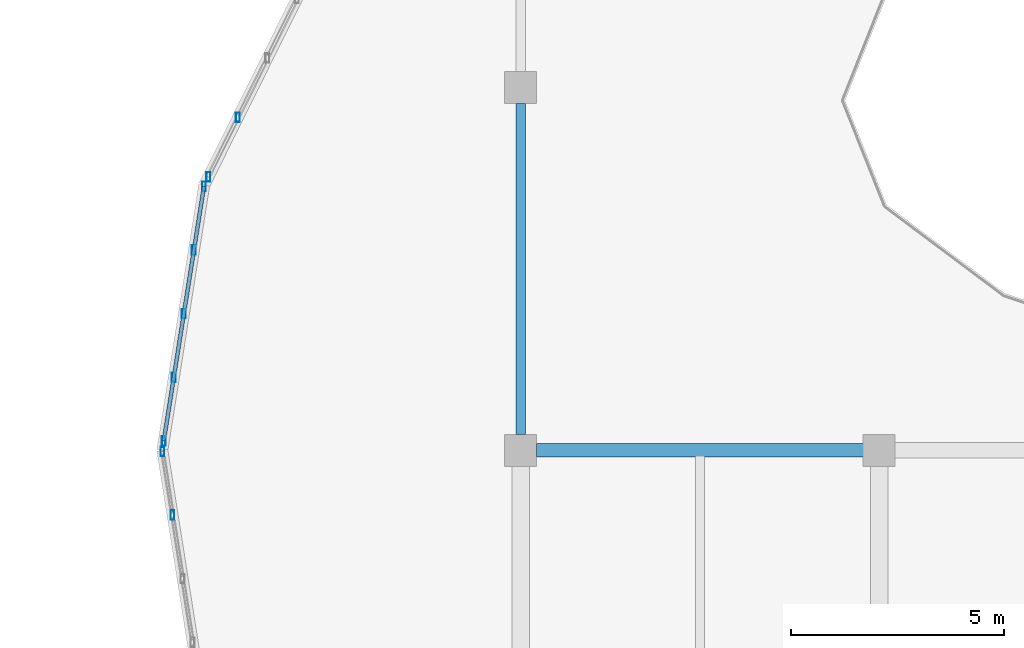
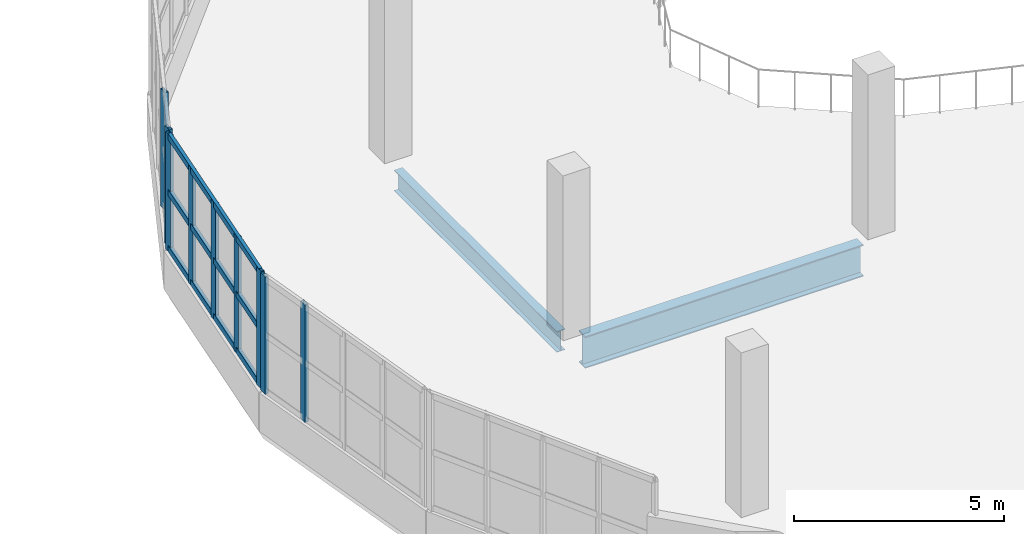
# One storey, part 11 of 77: 12 members, 2 beams, 3 elements without a shape of their own.
"""IFC4 building model written with IfcOpenShell, lengths in metres."""

from ifc_helpers import new_model, si_unit, direction, frame, origin, origin_2d, place, context, subcontext, project, spatial, hollow_rectangle, i_section, extrude, material, material_profile, profile_set, type_object, element, aggregate, save


model = new_model("IFC4")

# Units and contexts
model_context = context("Model", 3, precision=1e-05, world=origin(), true_north=direction((0.0, 1.0)))
body_context = subcontext(model_context, "Body", "Model", "MODEL_VIEW")
ifc_project = project(units=[si_unit("LENGTHUNIT", "METRE"), si_unit("AREAUNIT", "SQUARE_METRE"), si_unit("VOLUMEUNIT", "CUBIC_METRE"), si_unit("PLANEANGLEUNIT", "RADIAN"), si_unit("MASSUNIT", "GRAM", prefix="KILO")], contexts=[model_context])

# Site, building, storey
site_placement = place(None, origin())
site = spatial("IfcSite", under=ifc_project, at=site_placement, CompositionType="ELEMENT")
building_placement = place(site_placement, origin())
building = spatial("IfcBuilding", under=site, at=building_placement, Name="Solvento Point Concert Hall", CompositionType="ELEMENT")
storey_placement = place(building_placement, frame((0.0, 0.0, 10.199951171875)))
storey = spatial("IfcBuildingStorey", under=building, at=storey_placement, Name="L02", CompositionType="ELEMENT", Elevation=10.199951171875)

# Beams
ifc_material_1 = material(Name="Structural Steel ASTM A992 Grade 50", Category="steel")
ifc_material_profile_1 = material_profile(ifc_material_1, i_section(OverallWidth=0.228515625, OverallDepth=0.60791015625, WebThickness=0.01123046875, FlangeThickness=0.017333984375, at=origin_2d()), Name="W24X76")
ifc_profile_set_1 = profile_set([ifc_material_profile_1], Name="Structural Steel ASTM A992 Grade 50")
beam_type_1 = type_object("IfcBeamType", Name="Beam_W24X76", PredefinedType="BEAM", material=ifc_profile_set_1)
beam_1_placement = place(storey_placement, frame((40.800048828125, 34.368896484375, -0.577880859375), z_axis=(0.0, 1.0, 0.0), x_axis=(-1.0, 0.0, 0.0)))
element("IfcBeam", 1, at=beam_1_placement, inside=storey, type_object=beam_type_1, Name="Primary girder B-42 L02", PredefinedType="BEAM", context=body_context, shape_type="SweptSolid", body=[
    extrude(i_section(OverallWidth=0.228515625, OverallDepth=0.60791015625, WebThickness=0.01123046875, FlangeThickness=0.017333984375, at=origin_2d()), origin(), (0.0, 0.0, 1.0), 7.76220703125),
])
ifc_material_2 = material(Name="Structural Steel ASTM A992 Grade 50", Category="steel")
ifc_material_profile_2 = material_profile(ifc_material_2, i_section(OverallWidth=0.3076171875, OverallDepth=0.927001953125, WebThickness=0.019287109375, FlangeThickness=0.031982421875, at=origin_2d()), Name="W36X194")
ifc_profile_set_2 = profile_set([ifc_material_profile_2], Name="Structural Steel ASTM A992 Grade 50")
beam_type_2 = type_object("IfcBeamType", Name="Girder_W36X194", PredefinedType="USERDEFINED", material=ifc_profile_set_2)
beam_2_placement = place(storey_placement, frame((41.1689453125, 34.0, -0.737548828125), z_axis=(1.0, 0.0, 0.0), x_axis=(0.0, 1.0, 0.0)))
element("IfcBeam", 2, at=beam_2_placement, inside=storey, type_object=beam_type_2, Name="Primary girder B-61 L02", ObjectType="GIRDER", PredefinedType="USERDEFINED", context=body_context, shape_type="SweptSolid", body=[
    extrude(i_section(OverallWidth=0.3076171875, OverallDepth=0.927001953125, WebThickness=0.019287109375, FlangeThickness=0.031982421875, at=origin_2d()), origin(), (0.0, 0.0, 1.0), 7.662109375),
])

# Curtain wall, members
ifc_material_3 = material(Name="Anodized Bronze Aluminium", Category="aluminium")
curtain_wall_type = type_object("IfcCurtainWallType", Name="CurtainWall_RingRibbon_L01_02", PredefinedType="USERDEFINED", material=ifc_material_3)
curtain_wall_1_placement = place(storey_placement, origin())
curtain_wall_1 = element("IfcCurtainWall", 3, at=curtain_wall_1_placement, inside=storey, type_object=curtain_wall_type, Name="Unitised curtain wall CW-59 UCW-L02-169", ObjectType="UNITISED CURTAIN WALL", PredefinedType="USERDEFINED")
ifc_material_4 = material(Name="Anodized Bronze Aluminium", Category="aluminium")
ifc_material_profile_3 = material_profile(ifc_material_4, hollow_rectangle(XDim=0.090087890625, YDim=0.219970703125, WallThickness=0.00439453125, at=origin_2d()), Name="CW-MUL-90X220")
ifc_profile_set_3 = profile_set([ifc_material_profile_3], Name="Anodized Bronze Aluminium")
member_type_1 = type_object("IfcMemberType", Name="Mullion_90x220", PredefinedType="MULLION", material=ifc_profile_set_3)
member_1_placement = place(storey_placement, frame((32.640380859375, 32.479248046875, 1.1201171875), z_axis=(0.0, 0.0, 1.0), x_axis=(1.0, 0.0, 0.0)))
member_1 = element("IfcMember", 4, at=member_1_placement, type_object=member_type_1, Name="Curtain wall mullion ML-02", PredefinedType="MULLION", context=body_context, shape_type="SweptSolid", body=[
    extrude(hollow_rectangle(XDim=0.090087890625, YDim=0.219970703125, WallThickness=0.00439453125, at=origin_2d()), origin(), (0.0, 0.0, 1.0), 3.419921875),
])
member_2_placement = place(storey_placement, frame((32.40478515625, 33.970458984375, 1.1201171875), z_axis=(0.0, 0.0, 1.0), x_axis=(1.0, 0.0, 0.0)))
member_2 = element("IfcMember", 5, at=member_2_placement, type_object=member_type_1, Name="Curtain wall mullion ML-02", PredefinedType="MULLION", context=body_context, shape_type="SweptSolid", body=[
    extrude(hollow_rectangle(XDim=0.090087890625, YDim=0.219970703125, WallThickness=0.00439453125, at=origin_2d()), origin(), (0.0, 0.0, 1.0), 3.419921875),
])
aggregate(curtain_wall_1, [member_1, member_2])

curtain_wall_2_placement = place(storey_placement, origin())
curtain_wall_2 = element("IfcCurtainWall", 6, at=curtain_wall_2_placement, inside=storey, type_object=curtain_wall_type, Name="Unitised curtain wall CW-59 UCW-L02-170", ObjectType="UNITISED CURTAIN WALL", PredefinedType="USERDEFINED")
member_3_placement = place(storey_placement, frame((32.434326171875, 34.21728515625, 1.1201171875), z_axis=(0.0, 0.0, 1.0), x_axis=(1.0, 0.0, 0.0)))
member_3 = element("IfcMember", 7, at=member_3_placement, type_object=member_type_1, Name="Curtain wall mullion ML-02", PredefinedType="MULLION", context=body_context, shape_type="SweptSolid", body=[
    extrude(hollow_rectangle(XDim=0.090087890625, YDim=0.219970703125, WallThickness=0.00439453125, at=origin_2d()), origin(), (0.0, 0.0, 1.0), 3.419921875),
])
member_4_placement = place(storey_placement, frame((32.669921875, 35.70849609375, 1.1201171875), z_axis=(0.0, 0.0, 1.0), x_axis=(1.0, 0.0, 0.0)))
member_4 = element("IfcMember", 8, at=member_4_placement, type_object=member_type_1, Name="Curtain wall mullion ML-02", PredefinedType="MULLION", context=body_context, shape_type="SweptSolid", body=[
    extrude(hollow_rectangle(XDim=0.090087890625, YDim=0.219970703125, WallThickness=0.00439453125, at=origin_2d()), origin(), (0.0, 0.0, 1.0), 3.419921875),
])
member_5_placement = place(storey_placement, frame((32.905517578125, 37.19970703125, 1.1201171875), z_axis=(0.0, 0.0, 1.0), x_axis=(1.0, 0.0, 0.0)))
member_5 = element("IfcMember", 9, at=member_5_placement, type_object=member_type_1, Name="Curtain wall mullion ML-02", PredefinedType="MULLION", context=body_context, shape_type="SweptSolid", body=[
    extrude(hollow_rectangle(XDim=0.090087890625, YDim=0.219970703125, WallThickness=0.00439453125, at=origin_2d()), origin(), (0.0, 0.0, 1.0), 3.419921875),
])
member_6_placement = place(storey_placement, frame((33.14111328125, 38.69091796875, 1.1201171875), z_axis=(0.0, 0.0, 1.0), x_axis=(1.0, 0.0, 0.0)))
member_6 = element("IfcMember", 10, at=member_6_placement, type_object=member_type_1, Name="Curtain wall mullion ML-02", PredefinedType="MULLION", context=body_context, shape_type="SweptSolid", body=[
    extrude(hollow_rectangle(XDim=0.090087890625, YDim=0.219970703125, WallThickness=0.00439453125, at=origin_2d()), origin(), (0.0, 0.0, 1.0), 3.419921875),
])
member_7_placement = place(storey_placement, frame((33.376708984375, 40.18212890625, 1.1201171875), z_axis=(0.0, 0.0, 1.0), x_axis=(1.0, 0.0, 0.0)))
member_7 = element("IfcMember", 11, at=member_7_placement, type_object=member_type_1, Name="Curtain wall mullion ML-02", PredefinedType="MULLION", context=body_context, shape_type="SweptSolid", body=[
    extrude(hollow_rectangle(XDim=0.090087890625, YDim=0.219970703125, WallThickness=0.00439453125, at=origin_2d()), origin(), (0.0, 0.0, 1.0), 3.419921875),
])

curtain_wall_3_placement = place(storey_placement, origin())
curtain_wall_3 = element("IfcCurtainWall", 12, at=curtain_wall_3_placement, inside=storey, type_object=curtain_wall_type, Name="Unitised curtain wall CW-59 UCW-L02-171", ObjectType="UNITISED CURTAIN WALL", PredefinedType="USERDEFINED")
member_8_placement = place(storey_placement, frame((33.479248046875, 40.40869140625, 1.1201171875), z_axis=(0.0, 0.0, 1.0), x_axis=(1.0, 0.0, 0.0)))
member_8 = element("IfcMember", 13, at=member_8_placement, type_object=member_type_1, Name="Curtain wall mullion ML-02", PredefinedType="MULLION", context=body_context, shape_type="SweptSolid", body=[
    extrude(hollow_rectangle(XDim=0.090087890625, YDim=0.219970703125, WallThickness=0.00439453125, at=origin_2d()), origin(), (0.0, 0.0, 1.0), 3.419921875),
])
member_9_placement = place(storey_placement, frame((34.170654296875, 41.7998046875, 1.1201171875), z_axis=(0.0, 0.0, 1.0), x_axis=(1.0, 0.0, 0.0)))
member_9 = element("IfcMember", 14, at=member_9_placement, type_object=member_type_1, Name="Curtain wall mullion ML-02", PredefinedType="MULLION", context=body_context, shape_type="SweptSolid", body=[
    extrude(hollow_rectangle(XDim=0.090087890625, YDim=0.219970703125, WallThickness=0.00439453125, at=origin_2d()), origin(), (0.0, 0.0, 1.0), 3.419921875),
])
aggregate(curtain_wall_3, [member_8, member_9])

# Member
ifc_material_5 = material(Name="Anodized Bronze Aluminium", Category="aluminium")
ifc_material_profile_4 = material_profile(ifc_material_5, hollow_rectangle(XDim=0.090087890625, YDim=0.179931640625, WallThickness=0.00439453125, at=origin_2d()), Name="CW-TRN-90X180")
ifc_profile_set_4 = profile_set([ifc_material_profile_4], Name="Anodized Bronze Aluminium")
member_type_2 = type_object("IfcMemberType", Name="Transom_90x180", PredefinedType="USERDEFINED", material=ifc_profile_set_4)
member_10_placement = place(storey_placement, frame((32.434326171875, 34.21728515625, 1.199951171875), z_axis=(0.15605391931, 0.987748537973, 0.0), x_axis=(-0.987748537973, 0.15605391931, 0.0)))
member_10 = element("IfcMember", 15, at=member_10_placement, type_object=member_type_2, Name="Curtain wall transom TR-02", ObjectType="TRANSOM", PredefinedType="USERDEFINED", context=body_context, shape_type="SweptSolid", body=[
    extrude(hollow_rectangle(XDim=0.090087890625, YDim=0.179931640625, WallThickness=0.00439453125, at=origin_2d()), origin(), (0.0, 0.0, 1.0), 6.038818359375),
])

member_11_placement = place(storey_placement, frame((32.434326171875, 34.21728515625, 2.830078125), z_axis=(0.15605391931, 0.987748537973, 0.0), x_axis=(-0.987748537973, 0.15605391931, 0.0)))
member_11 = element("IfcMember", 16, at=member_11_placement, type_object=member_type_2, Name="Curtain wall transom TR-02", ObjectType="TRANSOM", PredefinedType="USERDEFINED", context=body_context, shape_type="SweptSolid", body=[
    extrude(hollow_rectangle(XDim=0.090087890625, YDim=0.179931640625, WallThickness=0.00439453125, at=origin_2d()), origin(), (0.0, 0.0, 1.0), 6.038818359375),
])

member_12_placement = place(storey_placement, frame((32.434326171875, 34.21728515625, 4.4599609375), z_axis=(0.15605391931, 0.987748537973, 0.0), x_axis=(-0.987748537973, 0.15605391931, 0.0)))
member_12 = element("IfcMember", 17, at=member_12_placement, type_object=member_type_2, Name="Curtain wall transom TR-02", ObjectType="TRANSOM", PredefinedType="USERDEFINED", context=body_context, shape_type="SweptSolid", body=[
    extrude(hollow_rectangle(XDim=0.090087890625, YDim=0.179931640625, WallThickness=0.00439453125, at=origin_2d()), origin(), (0.0, 0.0, 1.0), 6.038818359375),
])

aggregate(curtain_wall_2, [member_3, member_4, member_5, member_6, member_7, member_10, member_11, member_12])

save(model, "model.ifc")
